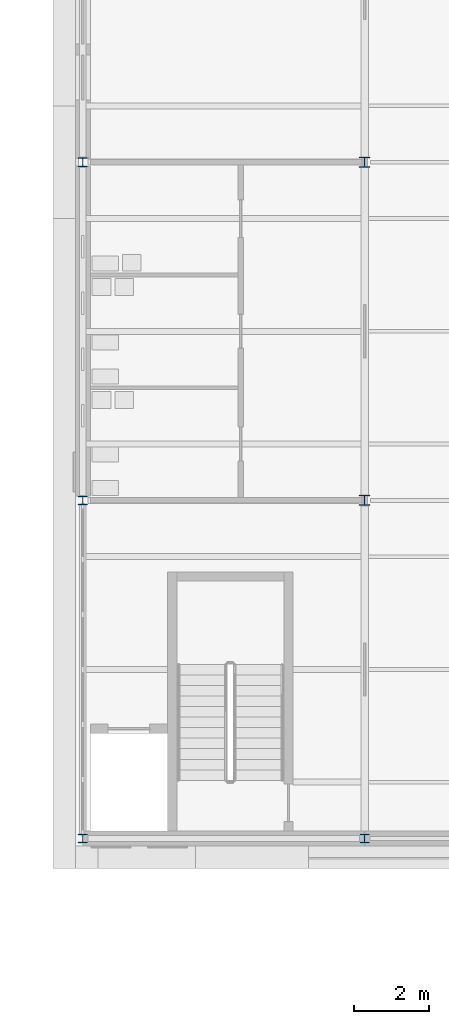
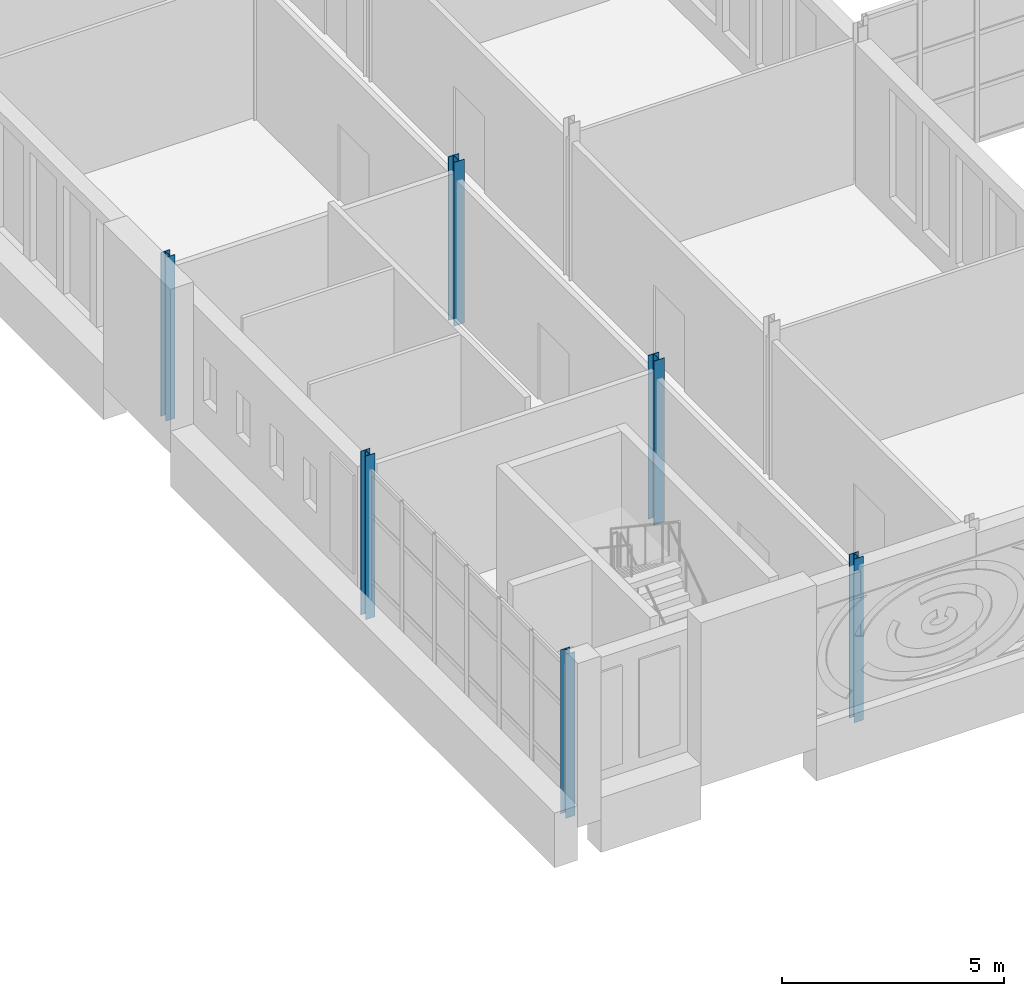
# One storey, part 2 of 131: 6 columns.
"""IFC4 building model written with IfcOpenShell, lengths in metres."""

from ifc_helpers import new_model, si_unit, direction, frame, origin, origin_2d, place, context, subcontext, project, spatial, i_section, extrude, material, material_profile, profile_set, type_object, element, save


model = new_model("IFC4")

# Units and contexts
model_context = context("Model", 3, precision=1e-05, world=origin(), true_north=direction((0.0, 1.0)))
body_context = subcontext(model_context, "Body", "Model", "MODEL_VIEW")
ifc_project = project(units=[si_unit("LENGTHUNIT", "METRE"), si_unit("AREAUNIT", "SQUARE_METRE"), si_unit("VOLUMEUNIT", "CUBIC_METRE"), si_unit("PLANEANGLEUNIT", "RADIAN"), si_unit("MASSUNIT", "GRAM", prefix="KILO")], contexts=[model_context])

# Site, building, storey
site_placement = place(None, origin())
site = spatial("IfcSite", under=ifc_project, at=site_placement, CompositionType="ELEMENT")
building_placement = place(site_placement, origin())
building = spatial("IfcBuilding", under=site, at=building_placement, Name="Golden Quay Civic Hall", CompositionType="ELEMENT")
storey_placement = place(building_placement, frame((0.0, 0.0, 9.89990234375)))
storey = spatial("IfcBuildingStorey", under=building, at=storey_placement, Name="L02", CompositionType="ELEMENT", Elevation=9.89990234375)

# Columns
ifc_material_1 = material(Name="Steel S355", Category="steel")
ifc_material_profile_1 = material_profile(ifc_material_1, i_section(OverallWidth=0.239990234375, OverallDepth=0.22998046875, WebThickness=0.007568359375, FlangeThickness=0.011962890625, FilletRadius=0.02099609375, at=origin_2d()), Name="HEA 240")
ifc_profile_set_1 = profile_set([ifc_material_profile_1], Name="Steel S355")
column_type_1 = type_object("IfcColumnType", Name="Steel column HEA 240", PredefinedType="COLUMN", material=ifc_profile_set_1)
for number, where, z_axis, x_axis, name in (
    (1, (54.0, 0.0, -0.199951171875), (0.0, 0.0, 1.0), (1.0, 0.0, 0.0), "Column 54/0 L02"),
    (2, (54.0, 9.0, -0.199951171875), (0.0, 0.0, 1.0), (1.0, 0.0, 0.0), "Column 54/9 L02"),
    (3, (54.0, 18.0, -0.199951171875), (0.0, 0.0, 1.0), (1.0, 0.0, 0.0), "Column 54/18 L02"),
    (4, (61.5, 0.0, -0.199951171875), (0.0, 0.0, 1.0), (1.0, 0.0, 0.0), "Column 61.5/0 L02"),
):
    element("IfcColumn", number, at=place(storey_placement, frame(where, z_axis=z_axis, x_axis=x_axis)), inside=storey, type_object=column_type_1, Name=name, PredefinedType="COLUMN", context=body_context, shape_type="SweptSolid", body=[
        extrude(i_section(OverallWidth=0.239990234375, OverallDepth=0.22998046875, WebThickness=0.007568359375, FlangeThickness=0.011962890625, FilletRadius=0.02099609375, at=origin_2d()), origin(), (0.0, 0.0, 1.0), 4.5),
    ])
ifc_material_2 = material(Name="Steel S355", Category="steel")
ifc_material_profile_2 = material_profile(ifc_material_2, i_section(OverallWidth=0.280029296875, OverallDepth=0.27001953125, WebThickness=0.008056640625, FlangeThickness=0.012939453125, FilletRadius=0.02392578125, at=origin_2d()), Name="HEA 280")
ifc_profile_set_2 = profile_set([ifc_material_profile_2], Name="Steel S355")
column_type_2 = type_object("IfcColumnType", Name="Steel column HEA 280", PredefinedType="COLUMN", material=ifc_profile_set_2)
for number, where, z_axis, x_axis, name in (
    (5, (61.5, 9.0, -0.199951171875), (0.0, 0.0, 1.0), (1.0, 0.0, 0.0), "Column 61.5/9 L02"),
    (6, (61.5, 18.0, -0.199951171875), (0.0, 0.0, 1.0), (1.0, 0.0, 0.0), "Column 61.5/18 L02"),
):
    element("IfcColumn", number, at=place(storey_placement, frame(where, z_axis=z_axis, x_axis=x_axis)), inside=storey, type_object=column_type_2, Name=name, PredefinedType="COLUMN", context=body_context, shape_type="SweptSolid", body=[
        extrude(i_section(OverallWidth=0.280029296875, OverallDepth=0.27001953125, WebThickness=0.008056640625, FlangeThickness=0.012939453125, FilletRadius=0.02392578125, at=origin_2d()), origin(), (0.0, 0.0, 1.0), 4.5),
    ])

save(model, "model.ifc")
